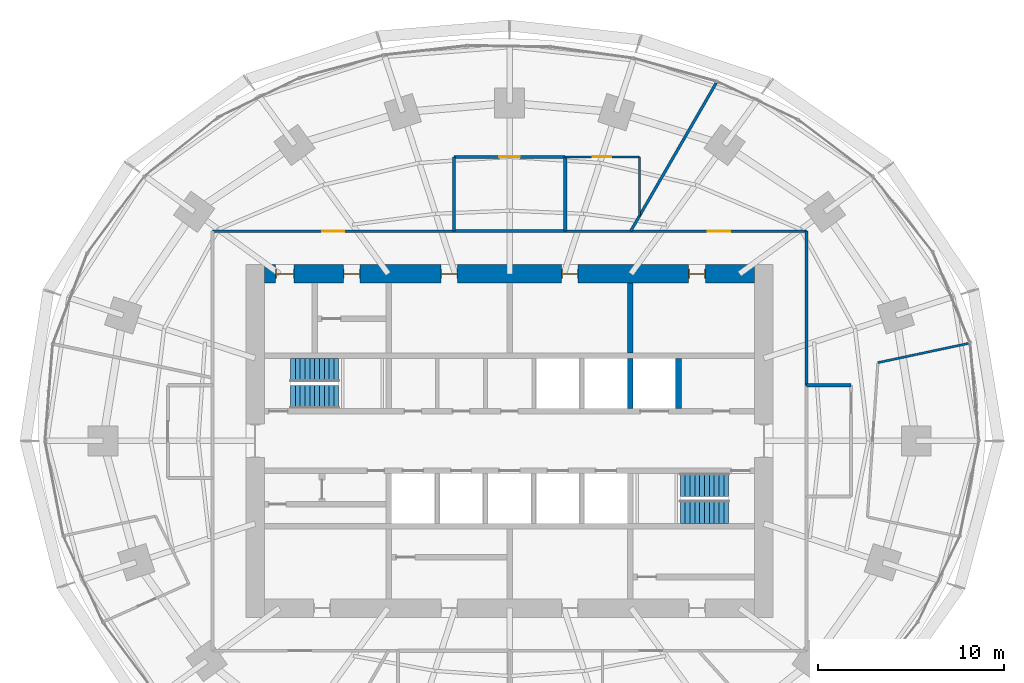
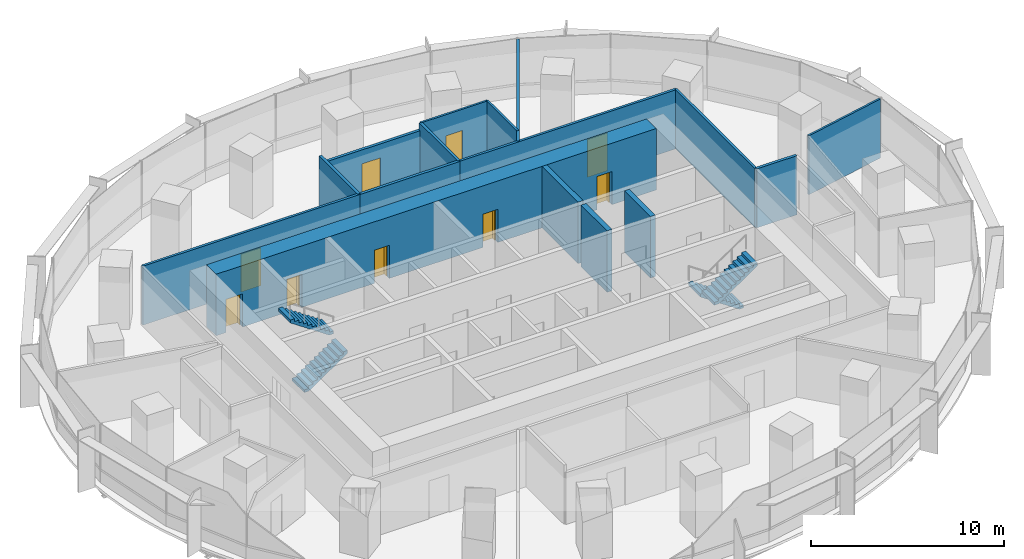
# One storey, part 12 of 14: 16 walls, 9 doors, 4 stair flights, 9 openings, 2 elements without a shape of their own.
"""IFC4 building model written with IfcOpenShell, lengths in metres."""

import ifcopenshell
import ifcopenshell.guid

model = None  # the IFC model being written
_history = None  # IfcOwnerHistory: only IFC2X3 demands one
_inside = {}  # id of a spatial element -> (the spatial element, [elements in it])
_under = {}  # id of a project, library or spatial element -> (it, [spatial elements below it])
_declared = {}  # id of a project -> (the project, [libraries it declares])
_typed = {}  # id of a type object -> (the type object, [elements of that type])
_made_of = {}  # id of a material, layer set ... -> (it, [elements and type objects made of it])


def new_model(schema):
    """Start an empty IFC model of exactly this schema.

    Asked for "IFC4X3", IfcOpenShell would pick the latest addendum, in which some entities
    have other attributes; the version numbers below select the first issue.
    IFC2X3 requires an IfcOwnerHistory on every rooted entity: one is made here for all.
    """
    global model, _history
    if schema == "IFC4X3":
        model = ifcopenshell.file(schema_version=(4, 3, 0, 0))
    else:
        model = ifcopenshell.file(schema=schema)
    _inside.clear()
    _under.clear()
    _declared.clear()
    _typed.clear()
    _made_of.clear()
    _history = None
    if model.schema == "IFC2X3":
        org = make("IfcOrganization", Name="unknown")
        user = make(
            "IfcPersonAndOrganization",
            ThePerson=make("IfcPerson", FamilyName="unknown"),
            TheOrganization=org,
        )
        app = make(
            "IfcApplication",
            ApplicationDeveloper=org,
            Version="unknown",
            ApplicationFullName="unknown",
            ApplicationIdentifier="unknown",
        )
        _history = make(
            "IfcOwnerHistory",
            OwningUser=user,
            OwningApplication=app,
            ChangeAction="ADDED",
            CreationDate=0,
        )
    return model


def make(cls, **values):
    """One entity of the class cls with the attributes given. An attribute that is None is left unset."""
    return model.create_entity(
        cls, **{name: value for name, value in values.items() if value is not None}
    )


def rooted(cls, **values):
    """An entity with a GlobalId (a new one), such as an element, a storey or a relation."""
    return make(cls, GlobalId=ifcopenshell.guid.new(), OwnerHistory=_history, **values)


def si_unit(unit_type, name, prefix=None):
    """IfcSIUnit, for example si_unit("LENGTHUNIT", "METRE", prefix="MILLI")."""
    return make("IfcSIUnit", UnitType=unit_type, Prefix=prefix, Name=name)


def assignment(units):
    """IfcUnitAssignment: the units of a project."""
    return None if units is None else make("IfcUnitAssignment", Units=units)


def point(xyz):
    """IfcCartesianPoint."""
    return None if xyz is None else make("IfcCartesianPoint", Coordinates=xyz)


def direction(xyz):
    """IfcDirection."""
    return None if xyz is None else make("IfcDirection", DirectionRatios=xyz)


def frame(location, z_axis=None, x_axis=None):
    """IfcAxis2Placement3D, a coordinate frame: its origin and axes. An axis left out is left unset."""
    return make(
        "IfcAxis2Placement3D",
        Location=point(location),
        Axis=direction(z_axis),
        RefDirection=direction(x_axis),
    )


def frame_2d(location, x_axis=None):
    """IfcAxis2Placement2D, a coordinate frame in the plane: its origin and x axis."""
    return make(
        "IfcAxis2Placement2D", Location=point(location), RefDirection=direction(x_axis)
    )


def origin():
    """The frame at (0, 0, 0) with its axes left unset."""
    return frame((0.0, 0.0, 0.0))


def place(relative_to, where):
    """IfcLocalPlacement: puts the frame where relative to a parent placement (None: the world)."""
    return make(
        "IfcLocalPlacement", PlacementRelTo=relative_to, RelativePlacement=where
    )


def context(
    kind, dimensions, precision=None, world=None, true_north=None, identifier=None
):
    """IfcGeometricRepresentationContext, for example the 3D "Model" context."""
    return make(
        "IfcGeometricRepresentationContext",
        ContextIdentifier=identifier,
        ContextType=kind,
        CoordinateSpaceDimension=dimensions,
        Precision=precision,
        WorldCoordinateSystem=world,
        TrueNorth=true_north,
    )


def subcontext(parent, identifier, kind, view, scale=None):
    """IfcGeometricRepresentationSubContext, for example "Body" below "Model"."""
    return make(
        "IfcGeometricRepresentationSubContext",
        ContextIdentifier=identifier,
        ContextType=kind,
        ParentContext=parent,
        TargetScale=scale,
        TargetView=view,
    )


def project(units=None, contexts=None):
    """IfcProject with its units and contexts."""
    return rooted(
        "IfcProject",
        Name="project",
        RepresentationContexts=contexts,
        UnitsInContext=assignment(units),
    )


def spatial(cls, under=None, at=None, **own):
    """A site, building, storey or space (cls), placed at a placement, below another one or the project."""
    s = rooted(cls, ObjectPlacement=at, **own)
    if under is not None:
        _under.setdefault(under.id(), (under, []))[1].append(s)
    return s


def polyline(points):
    """IfcPolyline through the points."""
    return make("IfcPolyline", Points=[point(p) for p in points])


def profile(cls, at=None, kind="AREA", **sizes):
    """A parametric profile (cls). Its sizes go by their IFC names, for example OverallWidth=200.0."""
    return make(cls, ProfileType=kind, Position=at, **sizes)


def rectangle(**sizes):
    """IfcRectangleProfileDef."""
    return profile("IfcRectangleProfileDef", **sizes)


def outline(outer, holes=None, kind="AREA"):
    """IfcArbitraryClosedProfileDef: a profile drawn as a closed curve; with holes, ...WithVoids."""
    if holes is None:
        return make("IfcArbitraryClosedProfileDef", ProfileType=kind, OuterCurve=outer)
    return make(
        "IfcArbitraryProfileDefWithVoids",
        ProfileType=kind,
        OuterCurve=outer,
        InnerCurves=holes,
    )


def extrude(swept, where, along, depth):
    """IfcExtrudedAreaSolid: the profile swept, set in the frame where, extruded along a direction by depth."""
    return make(
        "IfcExtrudedAreaSolid",
        SweptArea=swept,
        Position=where,
        ExtrudedDirection=direction(along),
        Depth=depth,
    )


def shape(context_of_items, identifier, shape_type, items):
    """IfcShapeRepresentation: the items that make up one representation, for example the "Body"."""
    return make(
        "IfcShapeRepresentation",
        ContextOfItems=context_of_items,
        RepresentationIdentifier=identifier,
        RepresentationType=shape_type,
        Items=items,
    )


def material(Name=None, Category=None):
    """IfcMaterial."""
    return make("IfcMaterial", Name=Name, Category=Category)


def layer(
    of_material, thickness, ventilated=None, Name=None, Category=None, Priority=None
):
    """IfcMaterialLayer: one layer of a wall or slab, of a material (None: an air gap)."""
    return make(
        "IfcMaterialLayer",
        Material=of_material,
        LayerThickness=thickness,
        IsVentilated=ventilated,
        Name=Name,
        Category=Category,
        Priority=Priority,
    )


def layer_set(layers, Name=None):
    """IfcMaterialLayerSet."""
    return make("IfcMaterialLayerSet", MaterialLayers=layers, LayerSetName=Name)


def made_of(thing, what):
    """Note that an element or type object is made of a material, layer set ...; save() writes the relation."""
    if what is not None:
        _made_of.setdefault(what.id(), (what, []))[1].append(thing)
    return thing


def type_object(cls, material=None, **own):
    """A type object (cls), such as IfcWallType, which elements share."""
    return made_of(rooted(cls, **own), material)


def element(
    cls,
    number,
    at=None,
    inside=None,
    cuts=None,
    type_object=None,
    material=None,
    context=None,
    identifier="Body",
    shape_type=None,
    held_by="IfcProductDefinitionShape",
    body=None,
    shapes=None,
    **own,
):
    """One element of the class cls, such as IfcWall. Its Tag is "e" and its number.

    at: its placement. inside: the storey or other place that contains it. cuts: it is an
    opening in that element (IfcRelVoidsElement). A single representation is given by context,
    identifier, shape_type and body (its items); several are given by shapes. held_by: the class
    of the entity that holds the representations. save() writes the other relations.
    """
    e = rooted(cls, Tag="e%d" % number, ObjectPlacement=at, **own)
    if body is not None:
        shapes = [shape(context, identifier, shape_type, body)]
    if shapes is not None:
        e.Representation = make(held_by, Representations=shapes)
    if inside is not None:
        _inside.setdefault(inside.id(), (inside, []))[1].append(e)
    if cuts is not None:
        rooted(
            "IfcRelVoidsElement", RelatingBuildingElement=cuts, RelatedOpeningElement=e
        )
    if type_object is not None:
        _typed.setdefault(type_object.id(), (type_object, []))[1].append(e)
    return made_of(e, material)


def fill(opening, filler):
    """IfcRelFillsElement: the door or window that sits in an opening."""
    return rooted(
        "IfcRelFillsElement",
        RelatingOpeningElement=opening,
        RelatedBuildingElement=filler,
    )


def aggregate(whole, parts):
    """IfcRelAggregates: a whole, such as a stair, and the parts it consists of."""
    return rooted("IfcRelAggregates", RelatingObject=whole, RelatedObjects=parts)


def save(model, path):
    """Write the relations noted so far, then the file.

    IfcRelAggregates (storeys below a building ...), IfcRelContainedInSpatialStructure (elements
    in a storey), IfcRelDefinesByType, IfcRelAssociatesMaterial and IfcRelDeclares: one each for
    every whole, place, type object, material and project.
    """
    for whole, parts in _under.values():
        aggregate(whole, parts)
    for where, things in _inside.values():
        rooted(
            "IfcRelContainedInSpatialStructure",
            RelatedElements=things,
            RelatingStructure=where,
        )
    for kind, things in _typed.values():
        rooted("IfcRelDefinesByType", RelatedObjects=things, RelatingType=kind)
    for what, things in _made_of.values():
        rooted("IfcRelAssociatesMaterial", RelatedObjects=things, RelatingMaterial=what)
    for by, libraries in _declared.values():
        rooted("IfcRelDeclares", RelatingContext=by, RelatedDefinitions=libraries)
    model.write(path)


model = new_model("IFC4")

# Units and contexts
model_context = context("Model", 3, precision=1e-05, world=origin(), true_north=direction((0.0, 1.0)))
body_context = subcontext(model_context, "Body", "Model", "MODEL_VIEW")
ifc_project = project(units=[si_unit("LENGTHUNIT", "METRE"), si_unit("AREAUNIT", "SQUARE_METRE"), si_unit("VOLUMEUNIT", "CUBIC_METRE"), si_unit("PLANEANGLEUNIT", "RADIAN"), si_unit("MASSUNIT", "GRAM", prefix="KILO")], contexts=[model_context])

# Site, building, storey
site_placement = place(None, origin())
site = spatial("IfcSite", under=ifc_project, at=site_placement, CompositionType="ELEMENT")
building_placement = place(site_placement, origin())
building = spatial("IfcBuilding", under=site, at=building_placement, Name="Marramba Exchange Tower", CompositionType="ELEMENT")
storey_placement = place(building_placement, frame((0.0, 0.0, 119.699951171875)))
storey = spatial("IfcBuildingStorey", under=building, at=storey_placement, Name="L28", CompositionType="ELEMENT", Elevation=119.699951171875)

# Walls
ifc_material_1 = material(Name="Plasterboard on staggered double steel studs, acoustic insulation", Category="steel")
ifc_layer_1 = layer(ifc_material_1, 0.169921875)
ifc_layer_set_1 = layer_set([ifc_layer_1], Name="Acoustic partition 170")
wall_type_1 = type_object("IfcWallType", Name="Acoustic partition 170", PredefinedType="PARTITIONING", material=ifc_layer_set_1)
wall_1_placement = place(storey_placement, frame((18.39990234375, 3.0, 0.0), z_axis=(0.0, 0.0, 1.0), x_axis=(-1.0, 0.0, 0.0)))
element("IfcWall", 1, at=wall_1_placement, inside=storey, type_object=wall_type_1, Name="Acoustic partition L28 22", PredefinedType="PARTITIONING", context=body_context, shape_type="SweptSolid", body=[
    extrude(rectangle(XDim=2.39990234375, YDim=0.169921875, at=frame_2d((1.199951171875, 0.0))), origin(), (0.0, 0.0, 1.0), 3.739990234375),
])
wall_2_placement = place(storey_placement, frame((3.0, 15.300048828125, 0.0), z_axis=(0.0, 0.0, 1.0), x_axis=(0.0, -1.0, 0.0)))
element("IfcWall", 2, at=wall_2_placement, inside=storey, type_object=wall_type_1, Name="Acoustic partition L28 29", PredefinedType="PARTITIONING", context=body_context, shape_type="SweptSolid", body=[
    extrude(rectangle(XDim=4.0, YDim=0.169921875, at=frame_2d((2.0, 0.0))), origin(), (0.0, 0.0, 1.0), 3.739990234375),
])
wall_3_placement = place(storey_placement, frame((-3.0, 11.300048828125, 0.0), z_axis=(0.0, 0.0, 1.0), x_axis=(1.0, 0.0, 0.0)))
element("IfcWall", 3, at=wall_3_placement, inside=storey, type_object=wall_type_1, Name="Acoustic partition L28 30", PredefinedType="PARTITIONING", context=body_context, shape_type="SweptSolid", body=[
    extrude(rectangle(XDim=6.0, YDim=0.169921875, at=frame_2d((3.0, 0.0))), origin(), (0.0, 0.0, 1.0), 3.739990234375),
])

# Wall, opening, door
wall_4_placement = place(storey_placement, frame((3.0, 15.300048828125, 0.0), z_axis=(0.0, 0.0, 1.0), x_axis=(-1.0, 0.0, 0.0)))
wall_4 = element("IfcWall", 4, at=wall_4_placement, inside=storey, type_object=wall_type_1, Name="Acoustic partition L28 31", PredefinedType="PARTITIONING", context=body_context, shape_type="SweptSolid", body=[
    extrude(rectangle(XDim=6.0, YDim=0.169921875, at=frame_2d((3.0, 0.0))), origin(), (0.0, 0.0, 1.0), 3.2861328125),
])
opening_1_placement = place(wall_4_placement, frame((2.449951171875, 0.0, 0.0)))
opening_1 = element("IfcOpeningElement", 5, at=opening_1_placement, cuts=wall_4, Name="Opening D15", PredefinedType="OPENING", context=body_context, shape_type="SweptSolid", body=[
    extrude(rectangle(XDim=1.10009765625, YDim=2.39990234375, at=frame_2d((0.550048828125, 1.199951171875))), frame((0.0, 0.094970703125, 0.0), z_axis=(0.0, -1.0, 0.0), x_axis=(1.0, 0.0, 0.0)), (0.0, 0.0, 1.0), 0.18994140625),
])
ifc_material_2 = material(Name="Timber door", Category="wood")
door_type_1 = type_object("IfcDoorType", Name="Glazed meeting room door 1100x2400", OperationType="SINGLE_SWING_LEFT", PredefinedType="DOOR", material=ifc_material_2)
door_1_placement = place(opening_1_placement, origin())
door_1 = element("IfcDoor", 6, at=door_1_placement, inside=storey, type_object=door_type_1, Name="D15 Meeting Room 2 L28", OperationType="SINGLE_SWING_RIGHT", OverallHeight=2.39990234375, OverallWidth=1.10009765625, PredefinedType="DOOR", context=body_context, shape_type="SweptSolid", body=[
    extrude(rectangle(XDim=1.10009765625, YDim=2.39990234375, at=frame_2d((0.550048828125, 1.199951171875))), frame((0.0, 0.02490234375, 0.0), z_axis=(0.0, -1.0, 0.0), x_axis=(1.0, 0.0, 0.0)), (0.0, 0.0, 1.0), 0.050048828125),
])
fill(opening_1, door_1)

# Wall
wall_5_placement = place(storey_placement, frame((-3.0, 15.300048828125, 0.0), z_axis=(0.0, 0.0, 1.0), x_axis=(0.0, -1.0, 0.0)))
element("IfcWall", 7, at=wall_5_placement, inside=storey, type_object=wall_type_1, Name="Acoustic partition L28 32", PredefinedType="PARTITIONING", context=body_context, shape_type="SweptSolid", body=[
    extrude(rectangle(XDim=4.0, YDim=0.169921875, at=frame_2d((2.0, 0.0))), origin(), (0.0, 0.0, 1.0), 3.739990234375),
])

# Wall, openings, doors
ifc_material_3 = material(Name="Concrete N50", Category="concrete")
ifc_layer_2 = layer(ifc_material_3, 1.0)
ifc_layer_set_2 = layer_set([ifc_layer_2], Name="Core wall 1000")
wall_type_2 = type_object("IfcWallType", Name="Core wall 1000", PredefinedType="SHEAR", material=ifc_layer_set_2)
wall_6_placement = place(storey_placement, frame((13.199951171875, 9.0, 0.0), z_axis=(0.0, 0.0, 1.0), x_axis=(-1.0, 0.0, 0.0)))
wall_6 = element("IfcWall", 8, at=wall_6_placement, inside=storey, type_object=wall_type_2, Name="Core wall N L28", PredefinedType="SHEAR", context=body_context, shape_type="SweptSolid", body=[
    extrude(rectangle(XDim=26.39990234375, YDim=1.0, at=frame_2d((13.199951171875, 0.0))), origin(), (0.0, 0.0, 1.0), 3.900146484375),
])
opening_2_placement = place(wall_6_placement, frame((2.64990234375, 0.0, 0.0)))
opening_2 = element("IfcOpeningElement", 9, at=opening_2_placement, cuts=wall_6, Name="Opening D5", PredefinedType="OPENING", context=body_context, shape_type="SweptSolid", body=[
    extrude(rectangle(XDim=0.89990234375, YDim=2.10009765625, at=frame_2d((0.449951171875, 1.050048828125))), frame((0.0, 0.510009765625, 0.0), z_axis=(0.0, -1.0, 0.0), x_axis=(1.0, 0.0, 0.0)), (0.0, 0.0, 1.0), 1.02001953125),
])
opening_3_placement = place(wall_6_placement, frame((9.5, 0.0, 0.0)))
opening_3 = element("IfcOpeningElement", 10, at=opening_3_placement, cuts=wall_6, Name="Opening D3", PredefinedType="OPENING", context=body_context, shape_type="SweptSolid", body=[
    extrude(rectangle(XDim=0.89990234375, YDim=2.10009765625, at=frame_2d((0.449951171875, 1.050048828125))), frame((0.0, 0.510009765625, 0.0), z_axis=(0.0, -1.0, 0.0), x_axis=(1.0, 0.0, 0.0)), (0.0, 0.0, 1.0), 1.02001953125),
])
opening_4_placement = place(wall_6_placement, frame((16.0, 0.0, 0.0)))
opening_4 = element("IfcOpeningElement", 11, at=opening_4_placement, cuts=wall_6, Name="Opening D3", PredefinedType="OPENING", context=body_context, shape_type="SweptSolid", body=[
    extrude(rectangle(XDim=0.89990234375, YDim=2.10009765625, at=frame_2d((0.449951171875, 1.050048828125))), frame((0.0, 0.510009765625, 0.0), z_axis=(0.0, -1.0, 0.0), x_axis=(1.0, 0.0, 0.0)), (0.0, 0.0, 1.0), 1.02001953125),
])
opening_5_placement = place(wall_6_placement, frame((21.25, 0.0, 0.0)))
opening_5 = element("IfcOpeningElement", 12, at=opening_5_placement, cuts=wall_6, Name="Opening D5", PredefinedType="OPENING", context=body_context, shape_type="SweptSolid", body=[
    extrude(rectangle(XDim=0.89990234375, YDim=2.10009765625, at=frame_2d((0.449951171875, 1.050048828125))), frame((0.0, 0.510009765625, 0.0), z_axis=(0.0, -1.0, 0.0), x_axis=(1.0, 0.0, 0.0)), (0.0, 0.0, 1.0), 1.02001953125),
])
opening_6_placement = place(wall_6_placement, frame((24.800048828125, 0.0, 0.0)))
opening_6 = element("IfcOpeningElement", 13, at=opening_6_placement, cuts=wall_6, Name="Opening D4", PredefinedType="OPENING", context=body_context, shape_type="SweptSolid", body=[
    extrude(rectangle(XDim=1.0, YDim=2.10009765625, at=frame_2d((0.5, 1.050048828125))), frame((0.0, 0.510009765625, 0.0), z_axis=(0.0, -1.0, 0.0), x_axis=(1.0, 0.0, 0.0)), (0.0, 0.0, 1.0), 1.02001953125),
])
ifc_material_4 = material(Name="Steel-framed door", Category="steel")
door_type_2 = type_object("IfcDoorType", Name="Accessible toilet door 1000x2100", OperationType="SINGLE_SWING_LEFT", PredefinedType="DOOR", material=ifc_material_4)
door_2_placement = place(opening_6_placement, origin())
door_2 = element("IfcDoor", 14, at=door_2_placement, inside=storey, type_object=door_type_2, Name="D4 awc L28", OperationType="SINGLE_SWING_RIGHT", OverallHeight=2.10009765625, OverallWidth=1.0, PredefinedType="DOOR", context=body_context, shape_type="SweptSolid", body=[
    extrude(rectangle(XDim=0.919921875, YDim=2.06005859375, at=frame_2d((0.5, 1.030029296875))), frame((0.0, 0.02490234375, 0.0), z_axis=(0.0, -1.0, 0.0), x_axis=(1.0, 0.0, 0.0)), (0.0, 0.0, 1.0), 0.050048828125),
    extrude(rectangle(XDim=0.04, YDim=2.10009765625, at=frame_2d((0.02001953125, 1.050048828125))), frame((0.0, 0.25, 0.0), z_axis=(0.0, -1.0, 0.0), x_axis=(1.0, 0.0, 0.0)), (0.0, 0.0, 1.0), 0.5),
    extrude(rectangle(XDim=0.04, YDim=2.10009765625, at=frame_2d((0.97998046875, 1.050048828125))), frame((0.0, 0.25, 0.0), z_axis=(0.0, -1.0, 0.0), x_axis=(1.0, 0.0, 0.0)), (0.0, 0.0, 1.0), 0.5),
    extrude(rectangle(XDim=0.919921875, YDim=0.04, at=frame_2d((0.5, 2.080078125))), frame((0.0, 0.25, 0.0), z_axis=(0.0, -1.0, 0.0), x_axis=(1.0, 0.0, 0.0)), (0.0, 0.0, 1.0), 0.5),
])
fill(opening_6, door_2)
door_type_3 = type_object("IfcDoorType", Name="Service door 900x2100", OperationType="SINGLE_SWING_LEFT", PredefinedType="DOOR", material=ifc_material_4)
door_3_placement = place(opening_2_placement, origin())
door_3 = element("IfcDoor", 15, at=door_3_placement, inside=storey, type_object=door_type_3, Name="D5 comms L28", OperationType="SINGLE_SWING_LEFT", OverallHeight=2.10009765625, OverallWidth=0.89990234375, PredefinedType="DOOR", context=body_context, shape_type="SweptSolid", body=[
    extrude(rectangle(XDim=0.81982421875, YDim=2.06005859375, at=frame_2d((0.449951171875, 1.030029296875))), frame((0.0, 0.02490234375, 0.0), z_axis=(0.0, -1.0, 0.0), x_axis=(1.0, 0.0, 0.0)), (0.0, 0.0, 1.0), 0.050048828125),
    extrude(rectangle(XDim=0.04, YDim=2.10009765625, at=frame_2d((0.02001953125, 1.050048828125))), frame((0.0, 0.25, 0.0), z_axis=(0.0, -1.0, 0.0), x_axis=(1.0, 0.0, 0.0)), (0.0, 0.0, 1.0), 0.5),
    extrude(rectangle(XDim=0.04, YDim=2.10009765625, at=frame_2d((0.8798828125, 1.050048828125))), frame((0.0, 0.25, 0.0), z_axis=(0.0, -1.0, 0.0), x_axis=(1.0, 0.0, 0.0)), (0.0, 0.0, 1.0), 0.5),
    extrude(rectangle(XDim=0.81982421875, YDim=0.04, at=frame_2d((0.449951171875, 2.080078125))), frame((0.0, 0.25, 0.0), z_axis=(0.0, -1.0, 0.0), x_axis=(1.0, 0.0, 0.0)), (0.0, 0.0, 1.0), 0.5),
])
fill(opening_2, door_3)
door_4_placement = place(opening_5_placement, origin())
door_4 = element("IfcDoor", 16, at=door_4_placement, inside=storey, type_object=door_type_3, Name="D5 cleaner L28", OperationType="SINGLE_SWING_RIGHT", OverallHeight=2.10009765625, OverallWidth=0.89990234375, PredefinedType="DOOR", context=body_context, shape_type="SweptSolid", body=[
    extrude(rectangle(XDim=0.81982421875, YDim=2.06005859375, at=frame_2d((0.449951171875, 1.030029296875))), frame((0.0, 0.02490234375, 0.0), z_axis=(0.0, -1.0, 0.0), x_axis=(1.0, 0.0, 0.0)), (0.0, 0.0, 1.0), 0.050048828125),
    extrude(rectangle(XDim=0.04, YDim=2.10009765625, at=frame_2d((0.02001953125, 1.050048828125))), frame((0.0, 0.25, 0.0), z_axis=(0.0, -1.0, 0.0), x_axis=(1.0, 0.0, 0.0)), (0.0, 0.0, 1.0), 0.5),
    extrude(rectangle(XDim=0.04, YDim=2.10009765625, at=frame_2d((0.8798828125, 1.050048828125))), frame((0.0, 0.25, 0.0), z_axis=(0.0, -1.0, 0.0), x_axis=(1.0, 0.0, 0.0)), (0.0, 0.0, 1.0), 0.5),
    extrude(rectangle(XDim=0.81982421875, YDim=0.04, at=frame_2d((0.449951171875, 2.080078125))), frame((0.0, 0.25, 0.0), z_axis=(0.0, -1.0, 0.0), x_axis=(1.0, 0.0, 0.0)), (0.0, 0.0, 1.0), 0.5),
])
fill(opening_5, door_4)
door_type_4 = type_object("IfcDoorType", Name="Toilet door 900x2100", OperationType="SINGLE_SWING_LEFT", PredefinedType="DOOR", material=ifc_material_4)
door_5_placement = place(opening_3_placement, origin())
door_5 = element("IfcDoor", 17, at=door_5_placement, inside=storey, type_object=door_type_4, Name="D3 wc-f L28", OperationType="SINGLE_SWING_RIGHT", OverallHeight=2.10009765625, OverallWidth=0.89990234375, PredefinedType="DOOR", context=body_context, shape_type="SweptSolid", body=[
    extrude(rectangle(XDim=0.81982421875, YDim=2.06005859375, at=frame_2d((0.449951171875, 1.030029296875))), frame((0.0, 0.02490234375, 0.0), z_axis=(0.0, -1.0, 0.0), x_axis=(1.0, 0.0, 0.0)), (0.0, 0.0, 1.0), 0.050048828125),
    extrude(rectangle(XDim=0.04, YDim=2.10009765625, at=frame_2d((0.02001953125, 1.050048828125))), frame((0.0, 0.25, 0.0), z_axis=(0.0, -1.0, 0.0), x_axis=(1.0, 0.0, 0.0)), (0.0, 0.0, 1.0), 0.5),
    extrude(rectangle(XDim=0.04, YDim=2.10009765625, at=frame_2d((0.8798828125, 1.050048828125))), frame((0.0, 0.25, 0.0), z_axis=(0.0, -1.0, 0.0), x_axis=(1.0, 0.0, 0.0)), (0.0, 0.0, 1.0), 0.5),
    extrude(rectangle(XDim=0.81982421875, YDim=0.04, at=frame_2d((0.449951171875, 2.080078125))), frame((0.0, 0.25, 0.0), z_axis=(0.0, -1.0, 0.0), x_axis=(1.0, 0.0, 0.0)), (0.0, 0.0, 1.0), 0.5),
])
fill(opening_3, door_5)
door_6_placement = place(opening_4_placement, origin())
door_6 = element("IfcDoor", 18, at=door_6_placement, inside=storey, type_object=door_type_4, Name="D3 wc-m L28", OperationType="SINGLE_SWING_RIGHT", OverallHeight=2.10009765625, OverallWidth=0.89990234375, PredefinedType="DOOR", context=body_context, shape_type="SweptSolid", body=[
    extrude(rectangle(XDim=0.81982421875, YDim=2.06005859375, at=frame_2d((0.449951171875, 1.030029296875))), frame((0.0, 0.02490234375, 0.0), z_axis=(0.0, -1.0, 0.0), x_axis=(1.0, 0.0, 0.0)), (0.0, 0.0, 1.0), 0.050048828125),
    extrude(rectangle(XDim=0.04, YDim=2.10009765625, at=frame_2d((0.02001953125, 1.050048828125))), frame((0.0, 0.25, 0.0), z_axis=(0.0, -1.0, 0.0), x_axis=(1.0, 0.0, 0.0)), (0.0, 0.0, 1.0), 0.5),
    extrude(rectangle(XDim=0.04, YDim=2.10009765625, at=frame_2d((0.8798828125, 1.050048828125))), frame((0.0, 0.25, 0.0), z_axis=(0.0, -1.0, 0.0), x_axis=(1.0, 0.0, 0.0)), (0.0, 0.0, 1.0), 0.5),
    extrude(rectangle(XDim=0.81982421875, YDim=0.04, at=frame_2d((0.449951171875, 2.080078125))), frame((0.0, 0.25, 0.0), z_axis=(0.0, -1.0, 0.0), x_axis=(1.0, 0.0, 0.0)), (0.0, 0.0, 1.0), 0.5),
])
fill(opening_4, door_6)

# Walls
ifc_layer_3 = layer(ifc_material_3, 0.300048828125)
ifc_layer_set_3 = layer_set([ifc_layer_3], Name="Core wall 300")
wall_type_3 = type_object("IfcWallType", Name="Core wall 300", PredefinedType="SHEAR", material=ifc_layer_set_3)
wall_7_placement = place(storey_placement, frame((6.5, 1.75, 0.0), z_axis=(0.0, 0.0, 1.0), x_axis=(0.0, 1.0, 0.0)))
element("IfcWall", 19, at=wall_7_placement, inside=storey, type_object=wall_type_3, Name="Core wall X1Na L28", PredefinedType="SHEAR", context=body_context, shape_type="SweptSolid", body=[
    extrude(rectangle(XDim=2.699951171875, YDim=0.300048828125, at=frame_2d((1.35009765625, 0.0))), origin(), (0.0, 0.0, 1.0), 3.900146484375),
])
wall_8_placement = place(storey_placement, frame((6.5, 4.75, 0.0), z_axis=(0.0, 0.0, 1.0), x_axis=(0.0, 1.0, 0.0)))
element("IfcWall", 20, at=wall_8_placement, inside=storey, type_object=wall_type_3, Name="Core wall X1Nb L28", PredefinedType="SHEAR", context=body_context, shape_type="SweptSolid", body=[
    extrude(rectangle(XDim=3.75, YDim=0.300048828125, at=frame_2d((1.875, 0.0))), origin(), (0.0, 0.0, 1.0), 3.900146484375),
])
wall_9_placement = place(storey_placement, frame((9.10009765625, 1.75, 0.0), z_axis=(0.0, 0.0, 1.0), x_axis=(0.0, 1.0, 0.0)))
element("IfcWall", 21, at=wall_9_placement, inside=storey, type_object=wall_type_3, Name="Core wall ED L28", PredefinedType="SHEAR", context=body_context, shape_type="SweptSolid", body=[
    extrude(rectangle(XDim=2.699951171875, YDim=0.300048828125, at=frame_2d((1.35009765625, 0.0))), origin(), (0.0, 0.0, 1.0), 3.900146484375),
])
ifc_material_5 = material(Name="Plasterboard on steel studs", Category="steel")
ifc_layer_4 = layer(ifc_material_5, 0.1201171875)
ifc_layer_set_4 = layer_set([ifc_layer_4], Name="Partition 120")
wall_type_4 = type_object("IfcWallType", Name="Partition 120", PredefinedType="PARTITIONING", material=ifc_layer_set_4)
wall_10_placement = place(storey_placement, frame((24.73046875, 5.256591796875, 0.0), z_axis=(0.0, 0.0, 1.0), x_axis=(-0.978149046495, -0.207904888932, 0.0)))
element("IfcWall", 22, at=wall_10_placement, inside=storey, type_object=wall_type_4, Name="Partition L28 23", PredefinedType="PARTITIONING", context=body_context, shape_type="SweptSolid", body=[
    extrude(rectangle(XDim=5.000244140625, YDim=0.1201171875, at=frame_2d((2.5, 0.0))), origin(), (0.0, 0.0, 1.0), 3.739990234375),
])
wall_11_placement = place(storey_placement, frame((7.0, 12.124267578125, 0.0), z_axis=(0.0, 0.0, 1.0), x_axis=(0.0, 1.0, 0.0)))
element("IfcWall", 23, at=wall_11_placement, inside=storey, type_object=wall_type_4, Name="Partition L28 27", PredefinedType="PARTITIONING", context=body_context, shape_type="SweptSolid", body=[
    extrude(rectangle(XDim=3.17578125, YDim=0.1201171875, at=frame_2d((1.587890625, 0.0))), origin(), (0.0, 0.0, 1.0), 3.739990234375),
])

# Wall, opening, door
wall_12_placement = place(storey_placement, frame((7.0, 15.300048828125, 0.0), z_axis=(0.0, 0.0, 1.0), x_axis=(-1.0, 0.0, 0.0)))
wall_12 = element("IfcWall", 24, at=wall_12_placement, inside=storey, type_object=wall_type_4, Name="Partition L28 28", PredefinedType="PARTITIONING", context=body_context, shape_type="SweptSolid", body=[
    extrude(rectangle(XDim=4.0, YDim=0.1201171875, at=frame_2d((2.0, 0.0))), origin(), (0.0, 0.0, 1.0), 3.739990234375),
])
opening_7_placement = place(wall_12_placement, frame((1.52587890625, 0.0, 0.0)))
opening_7 = element("IfcOpeningElement", 25, at=opening_7_placement, cuts=wall_12, Name="Opening D9", PredefinedType="OPENING", context=body_context, shape_type="SweptSolid", body=[
    extrude(rectangle(XDim=1.0, YDim=2.39990234375, at=frame_2d((0.5, 1.199951171875))), frame((0.0, 0.070068359375, 0.0), z_axis=(0.0, -1.0, 0.0), x_axis=(1.0, 0.0, 0.0)), (0.0, 0.0, 1.0), 0.14013671875),
])
door_type_5 = type_object("IfcDoorType", Name="Room door 1000x2400", OperationType="SINGLE_SWING_LEFT", PredefinedType="DOOR", material=ifc_material_2)
door_7_placement = place(opening_7_placement, origin())
door_7 = element("IfcDoor", 26, at=door_7_placement, inside=storey, type_object=door_type_5, Name="D9 Pantry 1 L28", OperationType="SINGLE_SWING_RIGHT", OverallHeight=2.39990234375, OverallWidth=1.0, PredefinedType="DOOR", context=body_context, shape_type="SweptSolid", body=[
    extrude(rectangle(XDim=1.0, YDim=2.39990234375, at=frame_2d((0.5, 1.199951171875))), frame((0.0, 0.02490234375, 0.0), z_axis=(0.0, -1.0, 0.0), x_axis=(1.0, 0.0, 0.0)), (0.0, 0.0, 1.0), 0.050048828125),
])
fill(opening_7, door_7)

# Wall
ifc_material_6 = material(Name="Fire-rated plasterboard on steel studs, acoustic insulation", Category="steel")
ifc_layer_5 = layer(ifc_material_6, 0.14990234375)
ifc_layer_set_5 = layer_set([ifc_layer_5], Name="Tenancy wall 150")
wall_type_5 = type_object("IfcWallType", Name="Tenancy wall 150", PredefinedType="PARTITIONING", material=ifc_layer_set_5)
wall_13_placement = place(storey_placement, frame((16.0, 3.0, 0.0), z_axis=(0.0, 0.0, 1.0), x_axis=(0.0, 1.0, 0.0)))
element("IfcWall", 27, at=wall_13_placement, inside=storey, type_object=wall_type_5, Name="Tenancy wall L28 24", PredefinedType="PARTITIONING", context=body_context, shape_type="SweptSolid", body=[
    extrude(rectangle(XDim=8.300048828125, YDim=0.14990234375, at=frame_2d((4.14990234375, 0.0))), origin(), (0.0, 0.0, 1.0), 3.739990234375),
])

# Wall, opening, door
wall_14_placement = place(storey_placement, frame((16.0, 11.300048828125, 0.0), z_axis=(0.0, 0.0, 1.0), x_axis=(-1.0, 0.0, 0.0)))
wall_14 = element("IfcWall", 28, at=wall_14_placement, inside=storey, type_object=wall_type_5, Name="Tenancy wall L28 25", PredefinedType="PARTITIONING", context=body_context, shape_type="SweptSolid", body=[
    extrude(rectangle(XDim=13.0, YDim=0.14990234375, at=frame_2d((6.5, 0.0))), origin(), (0.0, 0.0, 1.0), 3.739990234375),
])
opening_8_placement = place(wall_14_placement, frame((4.113037109375, 0.0, 0.0)))
opening_8 = element("IfcOpeningElement", 29, at=opening_8_placement, cuts=wall_14, Name="Opening D13", PredefinedType="OPENING", context=body_context, shape_type="SweptSolid", body=[
    extrude(rectangle(XDim=1.199951171875, YDim=2.39990234375, at=frame_2d((0.60009765625, 1.199951171875))), frame((0.0, 0.0849609375, 0.0), z_axis=(0.0, -1.0, 0.0), x_axis=(1.0, 0.0, 0.0)), (0.0, 0.0, 1.0), 0.169921875),
])
door_type_6 = type_object("IfcDoorType", Name="Tenancy entry door 1200x2400", OperationType="SINGLE_SWING_LEFT", PredefinedType="DOOR", material=ifc_material_4)
door_8_placement = place(opening_8_placement, origin())
door_8 = element("IfcDoor", 30, at=door_8_placement, inside=storey, type_object=door_type_6, Name="D13 Office 1 L28", OperationType="SINGLE_SWING_LEFT", OverallHeight=2.39990234375, OverallWidth=1.199951171875, PredefinedType="DOOR", context=body_context, shape_type="SweptSolid", body=[
    extrude(rectangle(XDim=1.199951171875, YDim=2.39990234375, at=frame_2d((0.60009765625, 1.199951171875))), frame((0.0, 0.02490234375, 0.0), z_axis=(0.0, -1.0, 0.0), x_axis=(1.0, 0.0, 0.0)), (0.0, 0.0, 1.0), 0.050048828125),
])
fill(opening_8, door_8)

# Wall
wall_15_placement = place(storey_placement, frame((6.524169921875, 11.300048828125, 0.0), z_axis=(0.0, 0.0, 1.0), x_axis=(0.499995827671, 0.866027812666, 0.0)))
element("IfcWall", 31, at=wall_15_placement, inside=storey, type_object=wall_type_5, Name="Tenancy wall L28 26", PredefinedType="PARTITIONING", context=body_context, shape_type="SweptSolid", body=[
    extrude(rectangle(XDim=9.22509765625, YDim=0.14990234375, at=frame_2d((4.612548828125, 0.0))), origin(), (0.0, 0.0, 1.0), 3.739990234375),
])

# Wall, opening, door
wall_16_placement = place(storey_placement, frame((-3.0, 11.300048828125, 0.0), z_axis=(0.0, 0.0, 1.0), x_axis=(-1.0, 0.0, 0.0)))
wall_16 = element("IfcWall", 32, at=wall_16_placement, inside=storey, type_object=wall_type_5, Name="Tenancy wall L28 33", PredefinedType="PARTITIONING", context=body_context, shape_type="SweptSolid", body=[
    extrude(rectangle(XDim=13.0, YDim=0.14990234375, at=frame_2d((6.5, 0.0))), origin(), (0.0, 0.0, 1.0), 3.739990234375),
])
opening_9_placement = place(wall_16_placement, frame((5.89990234375, 0.0, 0.0)))
opening_9 = element("IfcOpeningElement", 33, at=opening_9_placement, cuts=wall_16, Name="Opening D13", PredefinedType="OPENING", context=body_context, shape_type="SweptSolid", body=[
    extrude(rectangle(XDim=1.199951171875, YDim=2.39990234375, at=frame_2d((0.60009765625, 1.199951171875))), frame((0.0, 0.0849609375, 0.0), z_axis=(0.0, -1.0, 0.0), x_axis=(1.0, 0.0, 0.0)), (0.0, 0.0, 1.0), 0.169921875),
])
door_9_placement = place(opening_9_placement, origin())
door_9 = element("IfcDoor", 34, at=door_9_placement, inside=storey, type_object=door_type_6, Name="D13 Office 2 L28", OperationType="SINGLE_SWING_RIGHT", OverallHeight=2.39990234375, OverallWidth=1.199951171875, PredefinedType="DOOR", context=body_context, shape_type="SweptSolid", body=[
    extrude(rectangle(XDim=1.199951171875, YDim=2.39990234375, at=frame_2d((0.60009765625, 1.199951171875))), frame((0.0, 0.02490234375, 0.0), z_axis=(0.0, -1.0, 0.0), x_axis=(1.0, 0.0, 0.0)), (0.0, 0.0, 1.0), 0.050048828125),
])
fill(opening_9, door_9)

# Stair, stair flights
ifc_material_7 = material(Name="Concrete N40 (40 MPa)", Category="concrete")
stair_type_1 = type_object("IfcStairType", Name="Exit stair ST1 3900 x 1250", PredefinedType="HALF_TURN_STAIR", material=ifc_material_7)
stair_1_placement = place(storey_placement, origin())
stair_1 = element("IfcStair", 35, at=stair_1_placement, inside=storey, type_object=stair_type_1, Name="Exit stair ST1 L28", PredefinedType="HALF_TURN_STAIR")
stair_flight_type_1 = type_object("IfcStairFlightType", Name="ST1 stair flight 1773 riser 1250 wide", PredefinedType="STRAIGHT", material=ifc_material_7)
stair_flight_1_placement = place(storey_placement, frame((-11.800048828125, 2.375, 0.0), z_axis=(0.0, 0.0, 1.0), x_axis=(1.0, 0.0, 0.0)))
stair_flight_1 = element("IfcStairFlight", 36, at=stair_flight_1_placement, type_object=stair_flight_type_1, Name="ST1 flight 1", NumberOfRisers=11, NumberOfTreads=10, PredefinedType="STRAIGHT", RiserHeight=0.177272727, TreadLength=0.26, context=body_context, shape_type="SweptSolid", body=[
    extrude(outline(polyline([(0.0, 0.0), (0.0, 0.17724609375), (0.260009765625, 0.17724609375), (0.260009765625, 0.3544921875), (0.52001953125, 0.3544921875), (0.52001953125, 0.53173828125), (0.780029296875, 0.53173828125), (0.780029296875, 0.708984375), (1.0400390625, 0.708984375), (1.0400390625, 0.886474609375), (1.300048828125, 0.886474609375), (1.300048828125, 1.063720703125), (1.56005859375, 1.063720703125), (1.56005859375, 1.240966796875), (1.820068359375, 1.240966796875), (1.820068359375, 1.418212890625), (2.080078125, 1.418212890625), (2.080078125, 1.595458984375), (2.340087890625, 1.595458984375), (2.340087890625, 1.772705078125), (2.60009765625, 1.772705078125), (2.60009765625, 1.949951171875), (2.60009765625, 1.59130859375), (0.26611328125, 0.0), (0.0, 0.0)])), frame((0.0, 0.625, 0.0), z_axis=(0.0, -1.0, 0.0), x_axis=(1.0, 0.0, 0.0)), (0.0, 0.0, 1.0), 1.25),
])
stair_flight_2_placement = place(storey_placement, frame((-9.199951171875, 3.824951171875, 1.949951171875), z_axis=(0.0, 0.0, 1.0), x_axis=(-1.0, 0.0, 0.0)))
stair_flight_2 = element("IfcStairFlight", 37, at=stair_flight_2_placement, type_object=stair_flight_type_1, Name="ST1 flight 2", NumberOfRisers=11, NumberOfTreads=10, PredefinedType="STRAIGHT", RiserHeight=0.177272727, TreadLength=0.26, context=body_context, shape_type="SweptSolid", body=[
    extrude(outline(polyline([(0.0, 0.0), (0.0, 0.17724609375), (0.260009765625, 0.17724609375), (0.260009765625, 0.3544921875), (0.52001953125, 0.3544921875), (0.52001953125, 0.53173828125), (0.780029296875, 0.53173828125), (0.780029296875, 0.708984375), (1.0400390625, 0.708984375), (1.0400390625, 0.886474609375), (1.300048828125, 0.886474609375), (1.300048828125, 1.063720703125), (1.56005859375, 1.063720703125), (1.56005859375, 1.240966796875), (1.820068359375, 1.240966796875), (1.820068359375, 1.418212890625), (2.080078125, 1.418212890625), (2.080078125, 1.595458984375), (2.340087890625, 1.595458984375), (2.340087890625, 1.772705078125), (2.60009765625, 1.772705078125), (2.60009765625, 1.949951171875), (2.60009765625, 1.59130859375), (0.26611328125, 0.0), (0.0, 0.0)])), frame((0.0, 0.625, 0.0), z_axis=(0.0, -1.0, 0.0), x_axis=(1.0, 0.0, 0.0)), (0.0, 0.0, 1.0), 1.25),
])
aggregate(stair_1, [stair_flight_1, stair_flight_2])

stair_type_2 = type_object("IfcStairType", Name="Exit stair ST2 3900 x 1250", PredefinedType="HALF_TURN_STAIR", material=ifc_material_7)
stair_2_placement = place(storey_placement, origin())
stair_2 = element("IfcStair", 38, at=stair_2_placement, inside=storey, type_object=stair_type_2, Name="Exit stair ST2 L28", PredefinedType="HALF_TURN_STAIR")
stair_flight_type_2 = type_object("IfcStairFlightType", Name="ST2 stair flight 1773 riser 1250 wide", PredefinedType="STRAIGHT", material=ifc_material_7)
stair_flight_3_placement = place(storey_placement, frame((11.800048828125, -2.375, 0.0), z_axis=(0.0, 0.0, 1.0), x_axis=(-1.0, 0.0, 0.0)))
stair_flight_3 = element("IfcStairFlight", 39, at=stair_flight_3_placement, type_object=stair_flight_type_2, Name="ST2 flight 1", NumberOfRisers=11, NumberOfTreads=10, PredefinedType="STRAIGHT", RiserHeight=0.177272727, TreadLength=0.26, context=body_context, shape_type="SweptSolid", body=[
    extrude(outline(polyline([(0.0, 0.0), (0.0, 0.17724609375), (0.260009765625, 0.17724609375), (0.260009765625, 0.3544921875), (0.52001953125, 0.3544921875), (0.52001953125, 0.53173828125), (0.780029296875, 0.53173828125), (0.780029296875, 0.708984375), (1.0400390625, 0.708984375), (1.0400390625, 0.886474609375), (1.300048828125, 0.886474609375), (1.300048828125, 1.063720703125), (1.56005859375, 1.063720703125), (1.56005859375, 1.240966796875), (1.820068359375, 1.240966796875), (1.820068359375, 1.418212890625), (2.080078125, 1.418212890625), (2.080078125, 1.595458984375), (2.340087890625, 1.595458984375), (2.340087890625, 1.772705078125), (2.60009765625, 1.772705078125), (2.60009765625, 1.949951171875), (2.60009765625, 1.59130859375), (0.26611328125, 0.0), (0.0, 0.0)])), frame((0.0, 0.625, 0.0), z_axis=(0.0, -1.0, 0.0), x_axis=(1.0, 0.0, 0.0)), (0.0, 0.0, 1.0), 1.25),
])
stair_flight_4_placement = place(storey_placement, frame((9.199951171875, -3.824951171875, 1.949951171875), z_axis=(0.0, 0.0, 1.0), x_axis=(1.0, 0.0, 0.0)))
stair_flight_4 = element("IfcStairFlight", 40, at=stair_flight_4_placement, type_object=stair_flight_type_2, Name="ST2 flight 2", NumberOfRisers=11, NumberOfTreads=10, PredefinedType="STRAIGHT", RiserHeight=0.177272727, TreadLength=0.26, context=body_context, shape_type="SweptSolid", body=[
    extrude(outline(polyline([(0.0, 0.0), (0.0, 0.17724609375), (0.260009765625, 0.17724609375), (0.260009765625, 0.3544921875), (0.52001953125, 0.3544921875), (0.52001953125, 0.53173828125), (0.780029296875, 0.53173828125), (0.780029296875, 0.708984375), (1.0400390625, 0.708984375), (1.0400390625, 0.886474609375), (1.300048828125, 0.886474609375), (1.300048828125, 1.063720703125), (1.56005859375, 1.063720703125), (1.56005859375, 1.240966796875), (1.820068359375, 1.240966796875), (1.820068359375, 1.418212890625), (2.080078125, 1.418212890625), (2.080078125, 1.595458984375), (2.340087890625, 1.595458984375), (2.340087890625, 1.772705078125), (2.60009765625, 1.772705078125), (2.60009765625, 1.949951171875), (2.60009765625, 1.59130859375), (0.26611328125, 0.0), (0.0, 0.0)])), frame((0.0, 0.625, 0.0), z_axis=(0.0, -1.0, 0.0), x_axis=(1.0, 0.0, 0.0)), (0.0, 0.0, 1.0), 1.25),
])
aggregate(stair_2, [stair_flight_3, stair_flight_4])

save(model, "model.ifc")
